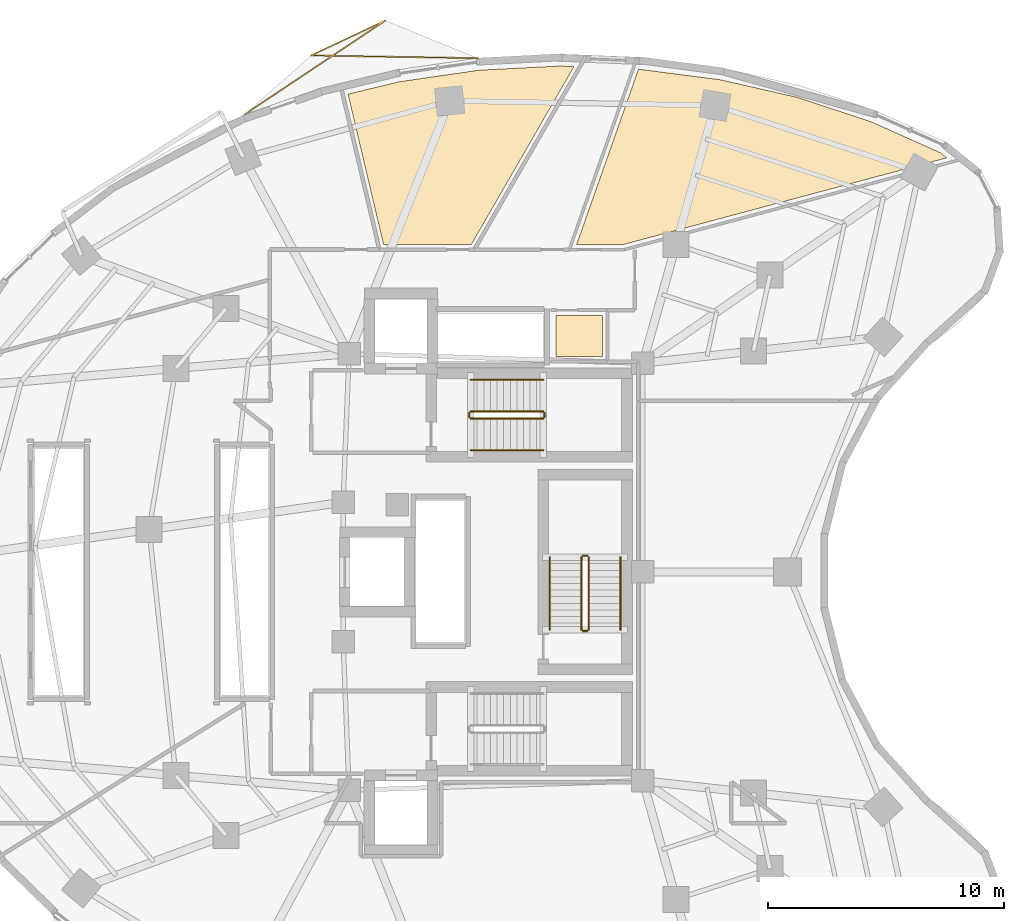
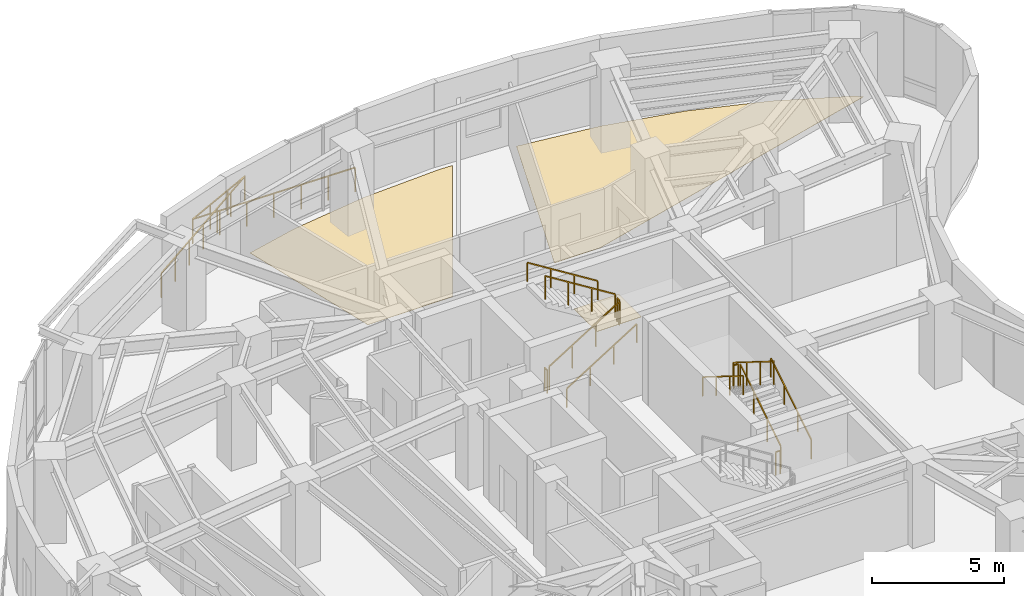
# One storey, part 12 of 12: 13 railings, 3 coverings.
"""IFC4 building model written with IfcOpenShell, lengths in metres."""

from ifc_helpers import new_model, si_unit, direction, frame, origin, origin_2d, place, context, subcontext, project, spatial, polyline, rectangle, outline, extrude, material, layer, layer_set, type_object, element, save


model = new_model("IFC4")

# Units and contexts
model_context = context("Model", 3, precision=1e-05, world=origin(), true_north=direction((0.0, 1.0)))
body_context = subcontext(model_context, "Body", "Model", "MODEL_VIEW")
ifc_project = project(units=[si_unit("LENGTHUNIT", "METRE"), si_unit("AREAUNIT", "SQUARE_METRE"), si_unit("VOLUMEUNIT", "CUBIC_METRE"), si_unit("PLANEANGLEUNIT", "RADIAN"), si_unit("MASSUNIT", "GRAM", prefix="KILO")], contexts=[model_context])

# Site, building, storey
site_placement = place(None, origin())
site = spatial("IfcSite", under=ifc_project, at=site_placement, CompositionType="ELEMENT")
building_placement = place(site_placement, origin())
building = spatial("IfcBuilding", under=site, at=building_placement, Name="Korentha Bioscience Tower", CompositionType="ELEMENT")
storey_placement = place(building_placement, frame((0.0, 0.0, 136.199951171875)))
storey = spatial("IfcBuildingStorey", under=building, at=storey_placement, Name="L31", CompositionType="ELEMENT", Elevation=136.199951171875)

# Covering
ifc_material_1 = material(Name="Vitrified Porcelain Tile", Category="ceramic")
ifc_layer_1 = layer(ifc_material_1, 0.014892578125, Name="Vitrified Porcelain Tile")
ifc_layer_set_1 = layer_set([ifc_layer_1], Name="Vitrified Porcelain Tile (FL-CER)")
covering_type_1 = type_object("IfcCoveringType", Name="Anti-Slip Ceramic Wet-Room Tile Flooring 15", PredefinedType="FLOORING", material=ifc_layer_set_1)
covering_1_placement = place(storey_placement, origin())
element("IfcCovering", 1, at=covering_1_placement, inside=storey, type_object=covering_type_1, Name="L31 Accessible Staff WC Floor Finish", PredefinedType="FLOORING", context=body_context, shape_type="SweptSolid", body=[
    extrude(outline(polyline([(33.8701171875, 36.1298828125), (33.8701171875, 37.8701171875), (35.830078125, 37.8701171875), (35.830078125, 36.1298828125), (33.8701171875, 36.1298828125)])), origin(), (0.0, 0.0, 1.0), 0.01513671875),
])

# Railings
ifc_material_2 = material(Name="Stainless Steel 304", Category="steel")
railing_type_1 = type_object("IfcRailingType", Name="Brushed Stainless Stair Handrail 900", PredefinedType="HANDRAIL", material=ifc_material_2)
railing_1_placement = place(storey_placement, frame((30.25, 32.14990234375, 0.175048828125)))
element("IfcRailing", 2, at=railing_1_placement, inside=storey, type_object=railing_type_1, Name="L31 ST-1 stair handrail 1", PredefinedType="HANDRAIL", context=body_context, shape_type="SweptSolid", body=[
    extrude(rectangle(XDim=0.048095703125, YDim=0.048095703125, at=origin_2d()), frame((0.0, 0.0, 0.8759765625), z_axis=(0.847998304005, 0.0, 0.529998940003), x_axis=(0.0, 1.0, 0.0)), (0.0, 0.0, 1.0), 3.632080078125),
    extrude(rectangle(XDim=0.0419921875, YDim=0.0419921875, at=origin_2d()), origin(), (0.0, 0.0, 1.0), 0.851806640625),
    extrude(rectangle(XDim=0.0419921875, YDim=0.0419921875, at=origin_2d()), frame((1.026611328125, 0.0, 0.6416015625)), (0.0, 0.0, 1.0), 0.851806640625),
    extrude(rectangle(XDim=0.0419921875, YDim=0.0419921875, at=origin_2d()), frame((2.053466796875, 0.0, 1.283447265625)), (0.0, 0.0, 1.0), 0.851806640625),
    extrude(rectangle(XDim=0.0419921875, YDim=0.0419921875, at=origin_2d()), frame((3.080078125, 0.0, 1.925048828125)), (0.0, 0.0, 1.0), 0.851806640625),
])
railing_2_placement = place(storey_placement, frame((33.330078125, 35.14990234375, 2.275146484375)))
element("IfcRailing", 3, at=railing_2_placement, inside=storey, type_object=railing_type_1, Name="L31 ST-1 stair handrail 2", PredefinedType="HANDRAIL", context=body_context, shape_type="SweptSolid", body=[
    extrude(rectangle(XDim=0.048095703125, YDim=0.048095703125, at=origin_2d()), frame((0.0, 0.0, 0.8759765625), z_axis=(-0.848028513186, 0.0, 0.529950602248), x_axis=(0.0, -1.0, 0.0)), (0.0, 0.0, 1.0), 3.632080078125),
    extrude(rectangle(XDim=0.0419921875, YDim=0.0419921875, at=origin_2d()), origin(), (0.0, 0.0, 1.0), 0.851806640625),
    extrude(rectangle(XDim=0.0419921875, YDim=0.0419921875, at=origin_2d()), frame((-1.026611328125, 0.0, 0.6416015625)), (0.0, 0.0, 1.0), 0.851806640625),
    extrude(rectangle(XDim=0.0419921875, YDim=0.0419921875, at=origin_2d()), frame((-2.053466796875, 0.0, 1.283203125)), (0.0, 0.0, 1.0), 0.851806640625),
    extrude(rectangle(XDim=0.0419921875, YDim=0.0419921875, at=origin_2d()), frame((-3.080078125, 0.0, 1.9248046875)), (0.0, 0.0, 1.0), 0.851806640625),
])
railing_3_placement = place(storey_placement, frame((36.60009765625, 24.550048828125, 0.175048828125)))
element("IfcRailing", 4, at=railing_3_placement, inside=storey, type_object=railing_type_1, Name="L31 ST-3 stair handrail 1", PredefinedType="HANDRAIL", context=body_context, shape_type="SweptSolid", body=[
    extrude(rectangle(XDim=0.048095703125, YDim=0.048095703125, at=origin_2d()), frame((0.0, 0.0, 0.8759765625), z_axis=(0.0, 0.847979421464, 0.530029150871), x_axis=(-1.0, 0.0, 0.0)), (0.0, 0.0, 1.0), 3.632080078125),
    extrude(rectangle(XDim=0.0419921875, YDim=0.0419921875, at=origin_2d()), origin(), (0.0, 0.0, 1.0), 0.851806640625),
    extrude(rectangle(XDim=0.0419921875, YDim=0.0419921875, at=origin_2d()), frame((0.0, 1.026611328125, 0.6416015625)), (0.0, 0.0, 1.0), 0.851806640625),
    extrude(rectangle(XDim=0.0419921875, YDim=0.0419921875, at=origin_2d()), frame((0.0, 2.05322265625, 1.283447265625)), (0.0, 0.0, 1.0), 0.851806640625),
    extrude(rectangle(XDim=0.0419921875, YDim=0.0419921875, at=origin_2d()), frame((0.0, 3.079833984375, 1.925048828125)), (0.0, 0.0, 1.0), 0.851806640625),
])
railing_4_placement = place(storey_placement, frame((33.60009765625, 27.6298828125, 2.275146484375)))
element("IfcRailing", 5, at=railing_4_placement, inside=storey, type_object=railing_type_1, Name="L31 ST-3 stair handrail 2", PredefinedType="HANDRAIL", context=body_context, shape_type="SweptSolid", body=[
    extrude(rectangle(XDim=0.048095703125, YDim=0.048095703125, at=origin_2d()), frame((0.0, 0.0, 0.8759765625), z_axis=(0.0, -0.848009633417, 0.529980812513), x_axis=(1.0, 0.0, 0.0)), (0.0, 0.0, 1.0), 3.6318359375),
    extrude(rectangle(XDim=0.0419921875, YDim=0.0419921875, at=origin_2d()), origin(), (0.0, 0.0, 1.0), 0.851806640625),
    extrude(rectangle(XDim=0.0419921875, YDim=0.0419921875, at=origin_2d()), frame((0.0, -1.026611328125, 0.6416015625)), (0.0, 0.0, 1.0), 0.851806640625),
    extrude(rectangle(XDim=0.0419921875, YDim=0.0419921875, at=origin_2d()), frame((0.0, -2.05322265625, 1.283203125)), (0.0, 0.0, 1.0), 0.851806640625),
    extrude(rectangle(XDim=0.0419921875, YDim=0.0419921875, at=origin_2d()), frame((0.0, -3.079833984375, 1.9248046875)), (0.0, 0.0, 1.0), 0.851806640625),
])
ifc_material_3 = material(Name="Laminated Tempered Safety Glass", Category="glass")
railing_type_2 = type_object("IfcRailingType", Name="Laminated Glass Balcony Guardrail 1150", PredefinedType="BALUSTRADE", material=ifc_material_3)
railing_5_placement = place(storey_placement, frame((30.558349609375, 48.7685546875, 0.0)))
element("IfcRailing", 6, at=railing_5_placement, inside=storey, type_object=railing_type_2, Name="L31 Balcony Guardrail 01", PredefinedType="BALUSTRADE", context=body_context, shape_type="SweptSolid", body=[
    extrude(rectangle(XDim=0.048095703125, YDim=0.048095703125, at=origin_2d()), frame((0.0, 0.0, 1.1259765625), z_axis=(-0.999865487558, 0.01640142648, 0.0), x_axis=(-0.01640142648, -0.999865487558, 0.0)), (0.0, 0.0, 1.0), 7.070556640625),
    extrude(rectangle(XDim=0.048095703125, YDim=0.048095703125, at=origin_2d()), frame((-7.069580078125, 0.115966796875, 1.1259765625), z_axis=(0.904931572143, 0.425557105144, 0.0), x_axis=(-0.425557105144, 0.904931572143, 0.0)), (0.0, 0.0, 1.0), 3.4794921875),
    extrude(rectangle(XDim=0.048095703125, YDim=0.048095703125, at=origin_2d()), frame((-3.9208984375, 1.5966796875, 1.1259765625), z_axis=(-0.831683894914, -0.555249402468, 0.0), x_axis=(0.555249402468, -0.831683894914, 0.0)), (0.0, 0.0, 1.0), 7.179443359375),
    extrude(rectangle(XDim=0.0419921875, YDim=0.0419921875, at=origin_2d()), origin(), (0.0, 0.0, 1.0), 1.101806640625),
    extrude(rectangle(XDim=0.0419921875, YDim=0.0419921875, at=origin_2d()), frame((-1.17822265625, 0.019287109375, 0.0)), (0.0, 0.0, 1.0), 1.101806640625),
    extrude(rectangle(XDim=0.0419921875, YDim=0.0419921875, at=origin_2d()), frame((-2.3564453125, 0.03857421875, 0.0)), (0.0, 0.0, 1.0), 1.101806640625),
    extrude(rectangle(XDim=0.0419921875, YDim=0.0419921875, at=origin_2d()), frame((-3.53466796875, 0.05810546875, 0.0)), (0.0, 0.0, 1.0), 1.101806640625),
    extrude(rectangle(XDim=0.0419921875, YDim=0.0419921875, at=origin_2d()), frame((-4.713134765625, 0.077392578125, 0.0)), (0.0, 0.0, 1.0), 1.101806640625),
    extrude(rectangle(XDim=0.0419921875, YDim=0.0419921875, at=origin_2d()), frame((-5.891357421875, 0.0966796875, 0.0)), (0.0, 0.0, 1.0), 1.101806640625),
    extrude(rectangle(XDim=0.0419921875, YDim=0.0419921875, at=origin_2d()), frame((-7.069580078125, 0.115966796875, 0.0)), (0.0, 0.0, 1.0), 1.101806640625),
    extrude(rectangle(XDim=0.0419921875, YDim=0.0419921875, at=origin_2d()), frame((-6.02001953125, 0.609619140625, 0.0)), (0.0, 0.0, 1.0), 1.101806640625),
    extrude(rectangle(XDim=0.0419921875, YDim=0.0419921875, at=origin_2d()), frame((-4.970458984375, 1.10302734375, 0.0)), (0.0, 0.0, 1.0), 1.101806640625),
    extrude(rectangle(XDim=0.0419921875, YDim=0.0419921875, at=origin_2d()), frame((-3.9208984375, 1.5966796875, 0.0)), (0.0, 0.0, 1.0), 1.101806640625),
    extrude(rectangle(XDim=0.0419921875, YDim=0.0419921875, at=origin_2d()), frame((-4.916015625, 0.932373046875, 0.0)), (0.0, 0.0, 1.0), 1.101806640625),
    extrude(rectangle(XDim=0.0419921875, YDim=0.0419921875, at=origin_2d()), frame((-5.9111328125, 0.267822265625, 0.0)), (0.0, 0.0, 1.0), 1.101806640625),
    extrude(rectangle(XDim=0.0419921875, YDim=0.0419921875, at=origin_2d()), frame((-6.90625, -0.396484375, 0.0)), (0.0, 0.0, 1.0), 1.101806640625),
    extrude(rectangle(XDim=0.0419921875, YDim=0.0419921875, at=origin_2d()), frame((-7.901611328125, -1.060791015625, 0.0)), (0.0, 0.0, 1.0), 1.101806640625),
    extrude(rectangle(XDim=0.0419921875, YDim=0.0419921875, at=origin_2d()), frame((-8.896728515625, -1.725341796875, 0.0)), (0.0, 0.0, 1.0), 1.101806640625),
    extrude(rectangle(XDim=0.0419921875, YDim=0.0419921875, at=origin_2d()), frame((-9.891845703125, -2.3896484375, 0.0)), (0.0, 0.0, 1.0), 1.101806640625),
])
ifc_material_4 = material(Name="Painted Steel S275", Category="steel")
railing_type_3 = type_object("IfcRailingType", Name="Painted Steel Stair Well Guardrail 1100", PredefinedType="GUARDRAIL", material=ifc_material_4)
railing_6_placement = place(storey_placement, frame((30.25, 33.5, 0.175048828125)))
element("IfcRailing", 7, at=railing_6_placement, inside=storey, type_object=railing_type_3, Name="L31 ST-1 stair guard 1", PredefinedType="GUARDRAIL", context=body_context, shape_type="SweptSolid", body=[
    extrude(rectangle(XDim=0.048095703125, YDim=0.048095703125, at=origin_2d()), frame((0.0, 0.0, 1.076171875), z_axis=(0.847998304005, 0.0, 0.529998940003), x_axis=(0.0, 1.0, 0.0)), (0.0, 0.0, 1.0), 3.632080078125),
    extrude(rectangle(XDim=0.0419921875, YDim=0.0419921875, at=origin_2d()), origin(), (0.0, 0.0, 1.0), 1.052001953125),
    extrude(rectangle(XDim=0.0419921875, YDim=0.0419921875, at=origin_2d()), frame((1.026611328125, 0.0, 0.6416015625)), (0.0, 0.0, 1.0), 1.052001953125),
    extrude(rectangle(XDim=0.0419921875, YDim=0.0419921875, at=origin_2d()), frame((2.053466796875, 0.0, 1.283447265625)), (0.0, 0.0, 1.0), 1.052001953125),
    extrude(rectangle(XDim=0.0419921875, YDim=0.0419921875, at=origin_2d()), frame((3.080078125, 0.0, 1.925048828125)), (0.0, 0.0, 1.0), 1.052001953125),
])
railing_7_placement = place(storey_placement, frame((33.3798828125, 33.550048828125, 2.10009765625)))
element("IfcRailing", 8, at=railing_7_placement, inside=storey, type_object=railing_type_3, Name="L31 ST-1 stair guard 2", PredefinedType="GUARDRAIL", context=body_context, shape_type="SweptSolid", body=[
    extrude(rectangle(XDim=0.048095703125, YDim=0.048095703125, at=origin_2d()), frame((0.0, 0.0, 1.076171875), z_axis=(0.0, 1.0, 0.0), x_axis=(-1.0, 0.0, 0.0)), (0.0, 0.0, 1.0), 0.199951171875),
    extrude(rectangle(XDim=0.0419921875, YDim=0.0419921875, at=origin_2d()), origin(), (0.0, 0.0, 1.0), 1.052001953125),
    extrude(rectangle(XDim=0.0419921875, YDim=0.0419921875, at=origin_2d()), frame((0.0, 0.199951171875, 0.0)), (0.0, 0.0, 1.0), 1.052001953125),
])
railing_8_placement = place(storey_placement, frame((33.330078125, 33.800048828125, 2.275146484375)))
element("IfcRailing", 9, at=railing_8_placement, inside=storey, type_object=railing_type_3, Name="L31 ST-1 stair guard 3", PredefinedType="GUARDRAIL", context=body_context, shape_type="SweptSolid", body=[
    extrude(rectangle(XDim=0.048095703125, YDim=0.048095703125, at=origin_2d()), frame((0.0, 0.0, 1.076171875), z_axis=(-0.848028513186, 0.0, 0.529950602248), x_axis=(0.0, -1.0, 0.0)), (0.0, 0.0, 1.0), 3.632080078125),
    extrude(rectangle(XDim=0.0419921875, YDim=0.0419921875, at=origin_2d()), origin(), (0.0, 0.0, 1.0), 1.052001953125),
    extrude(rectangle(XDim=0.0419921875, YDim=0.0419921875, at=origin_2d()), frame((-1.026611328125, 0.0, 0.6416015625)), (0.0, 0.0, 1.0), 1.052001953125),
    extrude(rectangle(XDim=0.0419921875, YDim=0.0419921875, at=origin_2d()), frame((-2.053466796875, 0.0, 1.283203125)), (0.0, 0.0, 1.0), 1.052001953125),
    extrude(rectangle(XDim=0.0419921875, YDim=0.0419921875, at=origin_2d()), frame((-3.080078125, 0.0, 1.9248046875)), (0.0, 0.0, 1.0), 1.052001953125),
])
railing_9_placement = place(storey_placement, frame((30.199951171875, 33.550048828125, 0.0)))
element("IfcRailing", 10, at=railing_9_placement, inside=storey, type_object=railing_type_3, Name="L31 ST-1 stair guard 4", PredefinedType="GUARDRAIL", context=body_context, shape_type="SweptSolid", body=[
    extrude(rectangle(XDim=0.048095703125, YDim=0.048095703125, at=origin_2d()), frame((0.0, 0.0, 1.076171875), z_axis=(0.0, 1.0, 0.0), x_axis=(-1.0, 0.0, 0.0)), (0.0, 0.0, 1.0), 0.199951171875),
    extrude(rectangle(XDim=0.0419921875, YDim=0.0419921875, at=origin_2d()), origin(), (0.0, 0.0, 1.0), 1.052001953125),
    extrude(rectangle(XDim=0.0419921875, YDim=0.0419921875, at=origin_2d()), frame((0.0, 0.199951171875, 0.0)), (0.0, 0.0, 1.0), 1.052001953125),
])
railing_10_placement = place(storey_placement, frame((35.25, 24.550048828125, 0.175048828125)))
element("IfcRailing", 11, at=railing_10_placement, inside=storey, type_object=railing_type_3, Name="L31 ST-3 stair guard 1", PredefinedType="GUARDRAIL", context=body_context, shape_type="SweptSolid", body=[
    extrude(rectangle(XDim=0.048095703125, YDim=0.048095703125, at=origin_2d()), frame((0.0, 0.0, 1.076171875), z_axis=(0.0, 0.847979421464, 0.530029150871), x_axis=(-1.0, 0.0, 0.0)), (0.0, 0.0, 1.0), 3.632080078125),
    extrude(rectangle(XDim=0.0419921875, YDim=0.0419921875, at=origin_2d()), origin(), (0.0, 0.0, 1.0), 1.052001953125),
    extrude(rectangle(XDim=0.0419921875, YDim=0.0419921875, at=origin_2d()), frame((0.0, 1.026611328125, 0.6416015625)), (0.0, 0.0, 1.0), 1.052001953125),
    extrude(rectangle(XDim=0.0419921875, YDim=0.0419921875, at=origin_2d()), frame((0.0, 2.05322265625, 1.283447265625)), (0.0, 0.0, 1.0), 1.052001953125),
    extrude(rectangle(XDim=0.0419921875, YDim=0.0419921875, at=origin_2d()), frame((0.0, 3.079833984375, 1.925048828125)), (0.0, 0.0, 1.0), 1.052001953125),
])
railing_11_placement = place(storey_placement, frame((35.199951171875, 27.679931640625, 2.10009765625)))
element("IfcRailing", 12, at=railing_11_placement, inside=storey, type_object=railing_type_3, Name="L31 ST-3 stair guard 2", PredefinedType="GUARDRAIL", context=body_context, shape_type="SweptSolid", body=[
    extrude(rectangle(XDim=0.048095703125, YDim=0.048095703125, at=origin_2d()), frame((0.0, 0.0, 1.076171875), z_axis=(-1.0, 0.0, 0.0), x_axis=(0.0, -1.0, 0.0)), (0.0, 0.0, 1.0), 0.199951171875),
    extrude(rectangle(XDim=0.0419921875, YDim=0.0419921875, at=origin_2d()), origin(), (0.0, 0.0, 1.0), 1.052001953125),
    extrude(rectangle(XDim=0.0419921875, YDim=0.0419921875, at=origin_2d()), frame((-0.199951171875, 0.0, 0.0)), (0.0, 0.0, 1.0), 1.052001953125),
])
railing_12_placement = place(storey_placement, frame((34.949951171875, 27.6298828125, 2.275146484375)))
element("IfcRailing", 13, at=railing_12_placement, inside=storey, type_object=railing_type_3, Name="L31 ST-3 stair guard 3", PredefinedType="GUARDRAIL", context=body_context, shape_type="SweptSolid", body=[
    extrude(rectangle(XDim=0.048095703125, YDim=0.048095703125, at=origin_2d()), frame((0.0, 0.0, 1.076171875), z_axis=(0.0, -0.848009633417, 0.529980812513), x_axis=(1.0, 0.0, 0.0)), (0.0, 0.0, 1.0), 3.6318359375),
    extrude(rectangle(XDim=0.0419921875, YDim=0.0419921875, at=origin_2d()), origin(), (0.0, 0.0, 1.0), 1.052001953125),
    extrude(rectangle(XDim=0.0419921875, YDim=0.0419921875, at=origin_2d()), frame((0.0, -1.026611328125, 0.6416015625)), (0.0, 0.0, 1.0), 1.052001953125),
    extrude(rectangle(XDim=0.0419921875, YDim=0.0419921875, at=origin_2d()), frame((0.0, -2.05322265625, 1.283203125)), (0.0, 0.0, 1.0), 1.052001953125),
    extrude(rectangle(XDim=0.0419921875, YDim=0.0419921875, at=origin_2d()), frame((0.0, -3.079833984375, 1.9248046875)), (0.0, 0.0, 1.0), 1.052001953125),
])
railing_13_placement = place(storey_placement, frame((35.199951171875, 24.5, 0.0)))
element("IfcRailing", 14, at=railing_13_placement, inside=storey, type_object=railing_type_3, Name="L31 ST-3 stair guard 4", PredefinedType="GUARDRAIL", context=body_context, shape_type="SweptSolid", body=[
    extrude(rectangle(XDim=0.048095703125, YDim=0.048095703125, at=origin_2d()), frame((0.0, 0.0, 1.076171875), z_axis=(-1.0, 0.0, 0.0), x_axis=(0.0, -1.0, 0.0)), (0.0, 0.0, 1.0), 0.199951171875),
    extrude(rectangle(XDim=0.0419921875, YDim=0.0419921875, at=origin_2d()), origin(), (0.0, 0.0, 1.0), 1.052001953125),
    extrude(rectangle(XDim=0.0419921875, YDim=0.0419921875, at=origin_2d()), frame((-0.199951171875, 0.0, 0.0)), (0.0, 0.0, 1.0), 1.052001953125),
])

# Coverings
ifc_material_5 = material(Name="Chemical-Resistant Epoxy Resin", Category="polymer")
ifc_layer_2 = layer(ifc_material_5, 0.011962890625, Name="Chemical-Resistant Epoxy Resin")
ifc_layer_set_2 = layer_set([ifc_layer_2], Name="Chemical-Resistant Epoxy Resin (FL-EPX)")
covering_type_2 = type_object("IfcCoveringType", Name="Seamless Epoxy Laboratory Flooring 12", PredefinedType="FLOORING", material=ifc_layer_set_2)
covering_2_placement = place(storey_placement, origin())
element("IfcCovering", 15, at=covering_2_placement, inside=storey, type_object=covering_type_2, Name="L31 Principal Investigator Office 02 Floor Finish", PredefinedType="FLOORING", context=body_context, shape_type="SweptSolid", body=[
    extrude(outline(polyline([(37.364501953125, 48.30419921875), (40.8349609375, 47.85400390625), (44.1171875, 47.103515625), (47.25439453125, 46.060546875), (50.164794921875, 44.75732421875), (50.4267578125, 44.54541015625), (36.7470703125, 40.8798828125), (34.743408203125, 40.8798828125), (37.364501953125, 48.30419921875)])), origin(), (0.0, 0.0, 1.0), 0.011962890625),
])
covering_3_placement = place(storey_placement, origin())
element("IfcCovering", 16, at=covering_3_placement, inside=storey, type_object=covering_type_2, Name="L31 Staff Pantry Kitchenette 04 Floor Finish", PredefinedType="FLOORING", context=body_context, shape_type="SweptSolid", body=[
    extrude(outline(polyline([(34.6318359375, 48.412841796875), (30.28271484375, 40.8798828125), (26.559326171875, 40.8798828125), (25.056396484375, 47.24658203125), (27.239013671875, 47.77392578125), (30.60791015625, 48.260498046875), (34.030517578125, 48.436767578125), (34.6318359375, 48.412841796875)])), origin(), (0.0, 0.0, 1.0), 0.011962890625),
])

save(model, "model.ifc")
